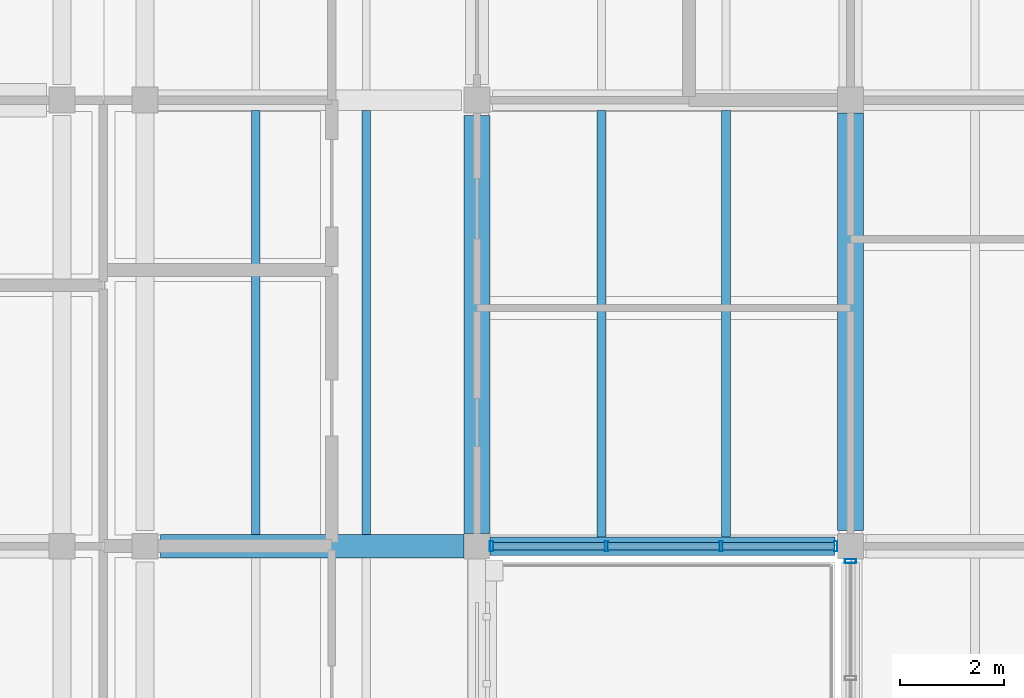
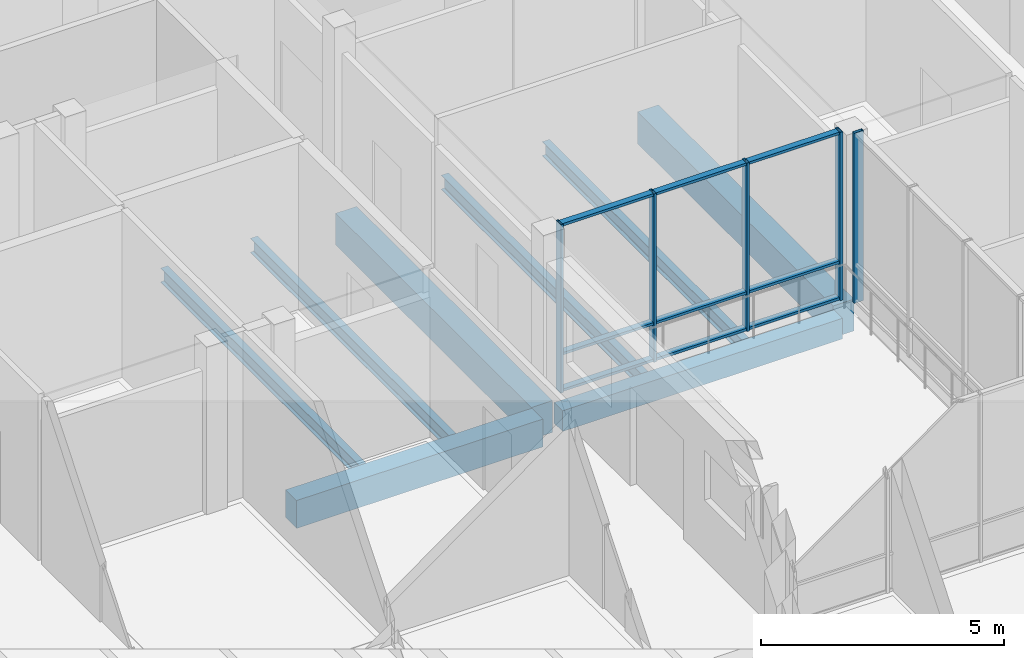
# One storey, part 89 of 146: 14 members, 8 beams, 2 elements without a shape of their own.
"""IFC4 building model written with IfcOpenShell, lengths in metres."""

from ifc_helpers import new_model, si_unit, direction, frame, origin, origin_2d, place, context, subcontext, project, spatial, rectangle, hollow_rectangle, i_section, extrude, material, material_profile, profile_set, type_object, element, aggregate, save


model = new_model("IFC4")

# Units and contexts
model_context = context("Model", 3, precision=1e-05, world=origin(), true_north=direction((0.0, 1.0)))
body_context = subcontext(model_context, "Body", "Model", "MODEL_VIEW")
ifc_project = project(units=[si_unit("LENGTHUNIT", "METRE"), si_unit("AREAUNIT", "SQUARE_METRE"), si_unit("VOLUMEUNIT", "CUBIC_METRE"), si_unit("PLANEANGLEUNIT", "RADIAN"), si_unit("MASSUNIT", "GRAM", prefix="KILO")], contexts=[model_context])

# Site, building, storey
site_placement = place(None, origin())
site = spatial("IfcSite", under=ifc_project, at=site_placement, CompositionType="ELEMENT")
building_placement = place(site_placement, origin())
building = spatial("IfcBuilding", under=site, at=building_placement, Name="Hawrajan Terrace Health Centre", CompositionType="ELEMENT")
storey_placement = place(building_placement, frame((0.0, 0.0, 4.5)))
storey = spatial("IfcBuildingStorey", under=building, at=storey_placement, Name="L01", CompositionType="ELEMENT", Elevation=4.5)

# Curtain wall, members
ifc_material_1 = material(Name="Anodized bronze aluminium and low-E solar glazing", Category="aluminium")
curtain_wall_type_1 = type_object("IfcCurtainWallType", Name="CW_Hall_SeriesD1", PredefinedType="USERDEFINED", material=ifc_material_1)
curtain_wall_1_placement = place(storey_placement, origin())
curtain_wall_1 = element("IfcCurtainWall", 1, at=curtain_wall_1_placement, inside=storey, type_object=curtain_wall_type_1, Name="Curtain wall CW-L01-106", ObjectType="UNITISED CURTAIN WALL", PredefinedType="USERDEFINED")
ifc_material_2 = material(Name="Anodized bronze aluminium 6063-T6", Category="aluminium")
ifc_material_profile_1 = material_profile(ifc_material_2, hollow_rectangle(XDim=0.06494140625, YDim=0.199951171875, WallThickness=0.00439453125, at=origin_2d()), Name="CW MUL 65x200")
ifc_profile_set_1 = profile_set([ifc_material_profile_1], Name="Anodized bronze aluminium 6063-T6")
member_type_1 = type_object("IfcMemberType", Name="CWMullion_65x200", PredefinedType="MULLION", material=ifc_profile_set_1)
member_1_placement = place(storey_placement, frame((136.882568359375, 36.800048828125, -0.0048828125), z_axis=(0.0, 0.0, 1.0), x_axis=(1.0, 0.0, 0.0)))
member_1 = element("IfcMember", 2, at=member_1_placement, type_object=member_type_1, Name="Mullion CW-L01-106-M1", PredefinedType="MULLION", context=body_context, shape_type="SweptSolid", body=[
    extrude(hollow_rectangle(XDim=0.06494140625, YDim=0.199951171875, WallThickness=0.00439453125, at=origin_2d()), origin(), (0.0, 0.0, 1.0), 4.22998046875),
])
member_2_placement = place(storey_placement, frame((139.09423828125, 36.800048828125, -0.0048828125), z_axis=(0.0, 0.0, 1.0), x_axis=(1.0, 0.0, 0.0)))
member_2 = element("IfcMember", 3, at=member_2_placement, type_object=member_type_1, Name="Mullion CW-L01-106-M2", PredefinedType="MULLION", context=body_context, shape_type="SweptSolid", body=[
    extrude(hollow_rectangle(XDim=0.06494140625, YDim=0.199951171875, WallThickness=0.00439453125, at=origin_2d()), origin(), (0.0, 0.0, 1.0), 4.22998046875),
])
member_3_placement = place(storey_placement, frame((141.305908203125, 36.800048828125, -0.0048828125), z_axis=(0.0, 0.0, 1.0), x_axis=(1.0, 0.0, 0.0)))
member_3 = element("IfcMember", 4, at=member_3_placement, type_object=member_type_1, Name="Mullion CW-L01-106-M3", PredefinedType="MULLION", context=body_context, shape_type="SweptSolid", body=[
    extrude(hollow_rectangle(XDim=0.06494140625, YDim=0.199951171875, WallThickness=0.00439453125, at=origin_2d()), origin(), (0.0, 0.0, 1.0), 4.22998046875),
])
member_4_placement = place(storey_placement, frame((143.517578125, 36.800048828125, -0.0048828125), z_axis=(0.0, 0.0, 1.0), x_axis=(1.0, 0.0, 0.0)))
member_4 = element("IfcMember", 5, at=member_4_placement, type_object=member_type_1, Name="Mullion CW-L01-106-M4", PredefinedType="MULLION", context=body_context, shape_type="SweptSolid", body=[
    extrude(hollow_rectangle(XDim=0.06494140625, YDim=0.199951171875, WallThickness=0.00439453125, at=origin_2d()), origin(), (0.0, 0.0, 1.0), 4.22998046875),
])

# Curtain wall, member
curtain_wall_type_2 = type_object("IfcCurtainWallType", Name="CW_Hall_SeriesD2", PredefinedType="USERDEFINED", material=ifc_material_1)
curtain_wall_2_placement = place(storey_placement, origin())
curtain_wall_2 = element("IfcCurtainWall", 6, at=curtain_wall_2_placement, inside=storey, type_object=curtain_wall_type_2, Name="Curtain wall CW-L01-107", ObjectType="UNITISED CURTAIN WALL", PredefinedType="USERDEFINED")
ifc_material_profile_2 = material_profile(ifc_material_2, hollow_rectangle(XDim=0.074951171875, YDim=0.219970703125, WallThickness=0.0048828125, at=origin_2d()), Name="CW MUL 75x220")
ifc_profile_set_2 = profile_set([ifc_material_profile_2], Name="Anodized bronze aluminium 6063-T6")
member_type_2 = type_object("IfcMemberType", Name="CWMullion_75x220", PredefinedType="MULLION", material=ifc_profile_set_2)
member_5_placement = place(storey_placement, frame((143.800048828125, 36.512451171875, -0.0048828125), z_axis=(0.0, 0.0, 1.0), x_axis=(0.0, 1.0, 0.0)))
member_5 = element("IfcMember", 7, at=member_5_placement, type_object=member_type_2, Name="Mullion CW-L01-107-M5", PredefinedType="MULLION", context=body_context, shape_type="SweptSolid", body=[
    extrude(hollow_rectangle(XDim=0.074951171875, YDim=0.219970703125, WallThickness=0.0048828125, at=origin_2d()), origin(), (0.0, 0.0, 1.0), 4.269775390625),
])
aggregate(curtain_wall_2, [member_5])

# Member
ifc_material_profile_3 = material_profile(ifc_material_2, hollow_rectangle(XDim=0.06494140625, YDim=0.14990234375, WallThickness=0.00390625, at=origin_2d()), Name="CW TRN 65x150")
ifc_profile_set_3 = profile_set([ifc_material_profile_3], Name="Anodized bronze aluminium 6063-T6")
member_type_3 = type_object("IfcMemberType", Name="CWTransom_65x150", PredefinedType="USERDEFINED", material=ifc_profile_set_3)
member_6_placement = place(storey_placement, frame((136.908935546875, 36.800048828125, 0.032470703125), z_axis=(1.0, 0.0, 0.0), x_axis=(0.0, 0.0, 1.0)))
member_6 = element("IfcMember", 8, at=member_6_placement, type_object=member_type_3, Name="Transom CW-L01-106-T1-1", ObjectType="TRANSOM", PredefinedType="USERDEFINED", context=body_context, shape_type="SweptSolid", body=[
    extrude(hollow_rectangle(XDim=0.06494140625, YDim=0.14990234375, WallThickness=0.00390625, at=origin_2d()), origin(), (0.0, 0.0, 1.0), 2.15869140625),
])

member_7_placement = place(storey_placement, frame((136.908935546875, 36.800048828125, 0.949951171875), z_axis=(1.0, 0.0, 0.0), x_axis=(0.0, 0.0, 1.0)))
member_7 = element("IfcMember", 9, at=member_7_placement, type_object=member_type_3, Name="Transom CW-L01-106-T1-2", ObjectType="TRANSOM", PredefinedType="USERDEFINED", context=body_context, shape_type="SweptSolid", body=[
    extrude(hollow_rectangle(XDim=0.06494140625, YDim=0.14990234375, WallThickness=0.00390625, at=origin_2d()), origin(), (0.0, 0.0, 1.0), 2.15869140625),
])

member_8_placement = place(storey_placement, frame((136.908935546875, 36.800048828125, 4.1875), z_axis=(1.0, 0.0, 0.0), x_axis=(0.0, 0.0, 1.0)))
member_8 = element("IfcMember", 10, at=member_8_placement, type_object=member_type_3, Name="Transom CW-L01-106-T1-3", ObjectType="TRANSOM", PredefinedType="USERDEFINED", context=body_context, shape_type="SweptSolid", body=[
    extrude(hollow_rectangle(XDim=0.06494140625, YDim=0.14990234375, WallThickness=0.00390625, at=origin_2d()), origin(), (0.0, 0.0, 1.0), 2.15869140625),
])

member_9_placement = place(storey_placement, frame((139.12060546875, 36.800048828125, 0.032470703125), z_axis=(1.0, 0.0, 0.0), x_axis=(0.0, 0.0, 1.0)))
member_9 = element("IfcMember", 11, at=member_9_placement, type_object=member_type_3, Name="Transom CW-L01-106-T2-1", ObjectType="TRANSOM", PredefinedType="USERDEFINED", context=body_context, shape_type="SweptSolid", body=[
    extrude(hollow_rectangle(XDim=0.06494140625, YDim=0.14990234375, WallThickness=0.00390625, at=origin_2d()), origin(), (0.0, 0.0, 1.0), 2.15869140625),
])

member_10_placement = place(storey_placement, frame((139.12060546875, 36.800048828125, 0.949951171875), z_axis=(1.0, 0.0, 0.0), x_axis=(0.0, 0.0, 1.0)))
member_10 = element("IfcMember", 12, at=member_10_placement, type_object=member_type_3, Name="Transom CW-L01-106-T2-2", ObjectType="TRANSOM", PredefinedType="USERDEFINED", context=body_context, shape_type="SweptSolid", body=[
    extrude(hollow_rectangle(XDim=0.06494140625, YDim=0.14990234375, WallThickness=0.00390625, at=origin_2d()), origin(), (0.0, 0.0, 1.0), 2.15869140625),
])

member_11_placement = place(storey_placement, frame((139.12060546875, 36.800048828125, 4.1875), z_axis=(1.0, 0.0, 0.0), x_axis=(0.0, 0.0, 1.0)))
member_11 = element("IfcMember", 13, at=member_11_placement, type_object=member_type_3, Name="Transom CW-L01-106-T2-3", ObjectType="TRANSOM", PredefinedType="USERDEFINED", context=body_context, shape_type="SweptSolid", body=[
    extrude(hollow_rectangle(XDim=0.06494140625, YDim=0.14990234375, WallThickness=0.00390625, at=origin_2d()), origin(), (0.0, 0.0, 1.0), 2.15869140625),
])

member_12_placement = place(storey_placement, frame((141.332275390625, 36.800048828125, 0.032470703125), z_axis=(1.0, 0.0, 0.0), x_axis=(0.0, 0.0, 1.0)))
member_12 = element("IfcMember", 14, at=member_12_placement, type_object=member_type_3, Name="Transom CW-L01-106-T3-1", ObjectType="TRANSOM", PredefinedType="USERDEFINED", context=body_context, shape_type="SweptSolid", body=[
    extrude(hollow_rectangle(XDim=0.06494140625, YDim=0.14990234375, WallThickness=0.00390625, at=origin_2d()), origin(), (0.0, 0.0, 1.0), 2.15869140625),
])

member_13_placement = place(storey_placement, frame((141.332275390625, 36.800048828125, 0.949951171875), z_axis=(1.0, 0.0, 0.0), x_axis=(0.0, 0.0, 1.0)))
member_13 = element("IfcMember", 15, at=member_13_placement, type_object=member_type_3, Name="Transom CW-L01-106-T3-2", ObjectType="TRANSOM", PredefinedType="USERDEFINED", context=body_context, shape_type="SweptSolid", body=[
    extrude(hollow_rectangle(XDim=0.06494140625, YDim=0.14990234375, WallThickness=0.00390625, at=origin_2d()), origin(), (0.0, 0.0, 1.0), 2.15869140625),
])

member_14_placement = place(storey_placement, frame((141.332275390625, 36.800048828125, 4.1875), z_axis=(1.0, 0.0, 0.0), x_axis=(0.0, 0.0, 1.0)))
member_14 = element("IfcMember", 16, at=member_14_placement, type_object=member_type_3, Name="Transom CW-L01-106-T3-3", ObjectType="TRANSOM", PredefinedType="USERDEFINED", context=body_context, shape_type="SweptSolid", body=[
    extrude(hollow_rectangle(XDim=0.06494140625, YDim=0.14990234375, WallThickness=0.00390625, at=origin_2d()), origin(), (0.0, 0.0, 1.0), 2.15869140625),
])

aggregate(curtain_wall_1, [member_1, member_2, member_3, member_4, member_6, member_7, member_8, member_9, member_10, member_11, member_12, member_13, member_14])

# Beams
ifc_material_3 = material(Name="Concrete C40/50", Category="concrete")
ifc_material_profile_4 = material_profile(ifc_material_3, rectangle(XDim=0.449951171875, YDim=0.699951171875, at=origin_2d()), Name="RC BM 450x700")
ifc_profile_set_4 = profile_set([ifc_material_profile_4], Name="Concrete C40/50")
beam_type_1 = type_object("IfcBeamType", Name="RCGirder_450x700", PredefinedType="BEAM", material=ifc_profile_set_4)
beam_1_placement = place(storey_placement, frame((130.5, 36.800048828125, -0.75), z_axis=(1.0, 0.0, 0.0), x_axis=(0.0, 1.0, 0.0)))
element("IfcBeam", 17, at=beam_1_placement, inside=storey, type_object=beam_type_1, Name="Beam BM-X-L01-E-17-Y5", PredefinedType="BEAM", context=body_context, shape_type="SweptSolid", body=[
    extrude(rectangle(XDim=0.449951171875, YDim=0.699951171875, at=origin_2d()), origin(), (0.0, 0.0, 1.0), 5.85009765625),
])
ifc_material_profile_5 = material_profile(ifc_material_3, rectangle(XDim=0.5, YDim=0.800048828125, at=origin_2d()), Name="RC BM 500x800")
ifc_profile_set_5 = profile_set([ifc_material_profile_5], Name="Concrete C40/50")
beam_type_2 = type_object("IfcBeamType", Name="RCGirder_500x800", PredefinedType="BEAM", material=ifc_profile_set_5)
beam_2_placement = place(storey_placement, frame((136.60009765625, 37.050048828125, -0.800048828125), z_axis=(0.0, 1.0, 0.0), x_axis=(-1.0, 0.0, 0.0)))
element("IfcBeam", 18, at=beam_2_placement, inside=storey, type_object=beam_type_2, Name="Beam BM-Y-L01-E-X18-5", PredefinedType="BEAM", context=body_context, shape_type="SweptSolid", body=[
    extrude(rectangle(XDim=0.5, YDim=0.800048828125, at=origin_2d()), origin(), (0.0, 0.0, 1.0), 8.050048828125),
])
beam_3_placement = place(storey_placement, frame((143.800048828125, 37.10009765625, -0.800048828125), z_axis=(0.0, 1.0, 0.0), x_axis=(-1.0, 0.0, 0.0)))
element("IfcBeam", 19, at=beam_3_placement, inside=storey, type_object=beam_type_2, Name="Beam BM-Y-L01-E-X19-5", PredefinedType="BEAM", context=body_context, shape_type="SweptSolid", body=[
    extrude(rectangle(XDim=0.5, YDim=0.800048828125, at=origin_2d()), origin(), (0.0, 0.0, 1.0), 8.0498046875),
])
ifc_material_profile_6 = material_profile(ifc_material_3, rectangle(XDim=0.35009765625, YDim=0.52001953125, at=origin_2d()), Name="RC SP 350x520")
ifc_profile_set_6 = profile_set([ifc_material_profile_6], Name="Concrete C40/50")
beam_type_3 = type_object("IfcBeamType", Name="RCSpandrel_350x520", PredefinedType="SPANDREL", material=ifc_profile_set_6)
beam_4_placement = place(storey_placement, frame((136.85009765625, 36.800048828125, -0.659912109375), z_axis=(1.0, 0.0, 0.0), x_axis=(0.0, 1.0, 0.0)))
element("IfcBeam", 20, at=beam_4_placement, inside=storey, type_object=beam_type_3, Name="Beam BM-X-L01-E-18-Y5", PredefinedType="SPANDREL", context=body_context, shape_type="SweptSolid", body=[
    extrude(rectangle(XDim=0.35009765625, YDim=0.52001953125, at=origin_2d()), origin(), (0.0, 0.0, 1.0), 6.64990234375),
])
ifc_material_4 = material(Name="Steel S355", Category="steel")
ifc_material_profile_7 = material_profile(ifc_material_4, i_section(OverallWidth=0.169921875, OverallDepth=0.360107421875, WebThickness=0.008056640625, FlangeThickness=0.0126953125, FilletRadius=0.01806640625, at=origin_2d()), Name="IPE 360")
ifc_profile_set_7 = profile_set([ifc_material_profile_7], Name="Steel S355")
beam_type_4 = type_object("IfcBeamType", Name="SteelBeam_IPE360", PredefinedType="BEAM", material=ifc_profile_set_7)
for number, where, z_axis, x_axis, name in (
    (21, (132.333251953125, 37.02490234375, -0.580078125), (0.0, 1.0, 0.0), (-1.0, 0.0, 0.0), "Secondary joist JST-L01-E-17-5-1"),
    (22, (134.466796875, 37.02490234375, -0.580078125), (0.0, 1.0, 0.0), (-1.0, 0.0, 0.0), "Secondary joist JST-L01-E-17-5-2"),
):
    element("IfcBeam", number, at=place(storey_placement, frame(where, z_axis=z_axis, x_axis=x_axis)), inside=storey, type_object=beam_type_4, Name=name, PredefinedType="BEAM", context=body_context, shape_type="SweptSolid", body=[
        extrude(i_section(OverallWidth=0.169921875, OverallDepth=0.360107421875, WebThickness=0.008056640625, FlangeThickness=0.0126953125, FilletRadius=0.01806640625, at=origin_2d()), origin(), (0.0, 0.0, 1.0), 8.175048828125),
    ])
for number, where, z_axis, x_axis, name in (
    (23, (139.0, 36.97509765625, -0.580078125), (0.0, 1.0, 0.0), (-1.0, 0.0, 0.0), "Secondary joist JST-L01-E-18-5-1"),
    (24, (141.39990234375, 36.97509765625, -0.580078125), (0.0, 1.0, 0.0), (-1.0, 0.0, 0.0), "Secondary joist JST-L01-E-18-5-2"),
):
    element("IfcBeam", number, at=place(storey_placement, frame(where, z_axis=z_axis, x_axis=x_axis)), inside=storey, type_object=beam_type_4, Name=name, PredefinedType="BEAM", context=body_context, shape_type="SweptSolid", body=[
        extrude(i_section(OverallWidth=0.169921875, OverallDepth=0.360107421875, WebThickness=0.008056640625, FlangeThickness=0.0126953125, FilletRadius=0.01806640625, at=origin_2d()), origin(), (0.0, 0.0, 1.0), 8.224853515625),
    ])

save(model, "model.ifc")
